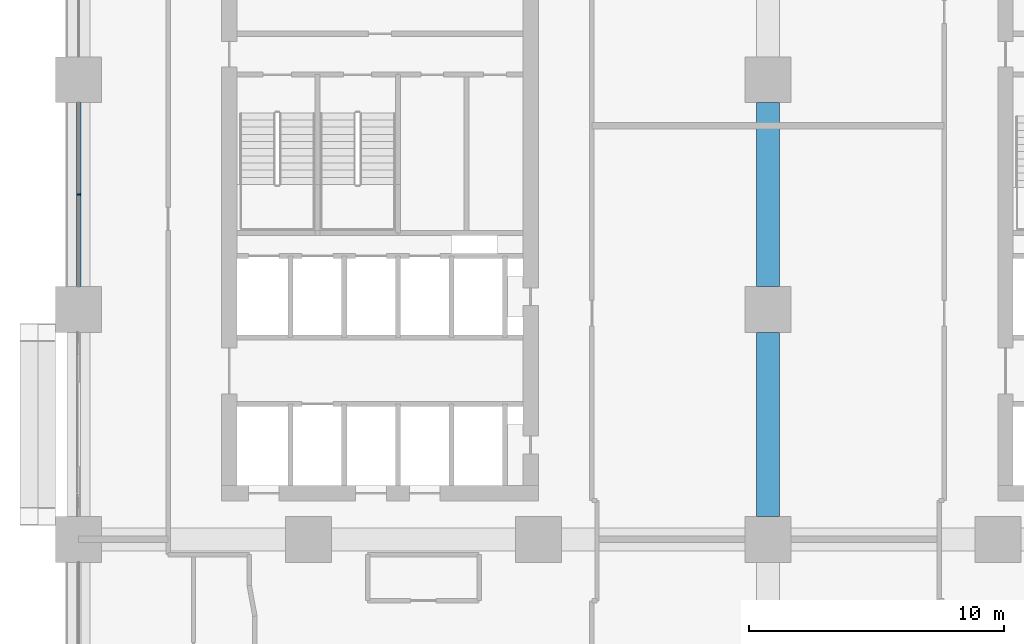
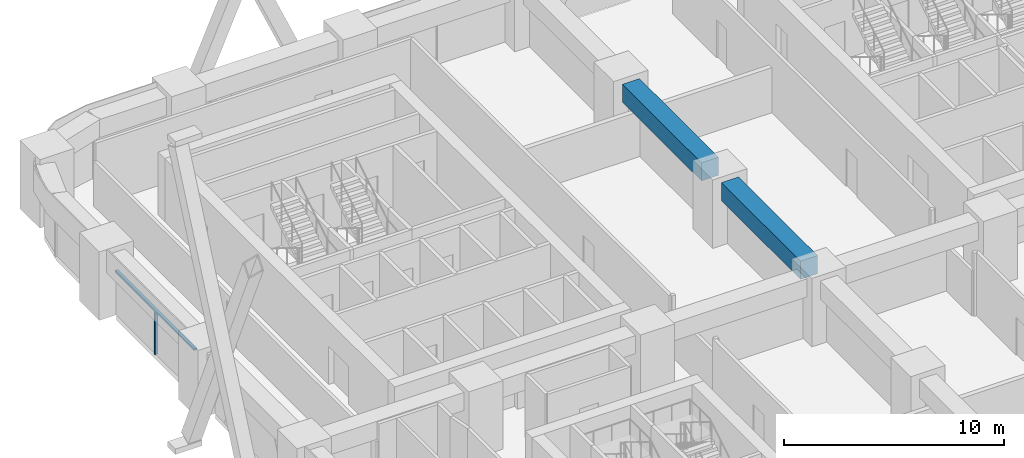
# One storey, part 7 of 24: 2 beams, 2 members, 1 element without a shape of its own.
"""IFC4 building model written with IfcOpenShell, lengths in metres."""

from ifc_helpers import new_model, si_unit, direction, frame, origin, origin_2d, place, context, subcontext, project, spatial, rectangle, extrude, material, material_profile, profile_set, type_object, element, aggregate, save


model = new_model("IFC4")

# Units and contexts
model_context = context("Model", 3, precision=1e-05, world=origin(), true_north=direction((0.0, 1.0)))
body_context = subcontext(model_context, "Body", "Model", "MODEL_VIEW")
ifc_project = project(units=[si_unit("LENGTHUNIT", "METRE"), si_unit("AREAUNIT", "SQUARE_METRE"), si_unit("VOLUMEUNIT", "CUBIC_METRE"), si_unit("PLANEANGLEUNIT", "RADIAN"), si_unit("MASSUNIT", "GRAM", prefix="KILO")], contexts=[model_context])

# Site, building, storey
site_placement = place(None, origin())
site = spatial("IfcSite", under=ifc_project, at=site_placement, CompositionType="ELEMENT")
building_placement = place(site_placement, origin())
building = spatial("IfcBuilding", under=site, at=building_placement, Name="Tessera Arch", CompositionType="ELEMENT")
storey_placement = place(building_placement, frame((0.0, 0.0, 61.39990234375)))
storey = spatial("IfcBuildingStorey", under=building, at=storey_placement, Name="L13", CompositionType="ELEMENT", Elevation=61.39990234375)

# Curtain wall, members
ifc_material_1 = material(Name="CW1 curtain wall")
curtain_wall_type = type_object("IfcCurtainWallType", Name="CW1 curtain wall", PredefinedType="NOTDEFINED", material=ifc_material_1)
curtain_wall_placement = place(storey_placement, origin())
curtain_wall = element("IfcCurtainWall", 1, at=curtain_wall_placement, inside=storey, type_object=curtain_wall_type, Name="CW1 curtain wall W0.0/1 L13", PredefinedType="NOTDEFINED")
ifc_material_2 = material(Name="Anodised aluminium pale metal", Category="aluminium")
ifc_material_profile_1 = material_profile(ifc_material_2, rectangle(XDim=0.159912109375, YDim=0.06005859375, at=origin_2d()), Name="AL 60x160")
ifc_profile_set_1 = profile_set([ifc_material_profile_1], Name="Anodised aluminium pale metal")
member_type_1 = type_object("IfcMemberType", Name="CW1 mullion", PredefinedType="MULLION", material=ifc_profile_set_1)
member_1_placement = place(storey_placement, frame((0.0, 40.5, 0.0), z_axis=(0.0, 0.0, 1.0), x_axis=(1.0, 0.0, 0.0)))
member_1 = element("IfcMember", 2, at=member_1_placement, type_object=member_type_1, Name="CW1 mullion W0.0/1 1", PredefinedType="MULLION", context=body_context, shape_type="SweptSolid", body=[
    extrude(rectangle(XDim=0.159912109375, YDim=0.06005859375, at=origin_2d()), origin(), (0.0, 0.0, 1.0), 2.400146484375),
])
ifc_material_3 = material(Name="Anodised aluminium pale metal", Category="aluminium")
ifc_material_profile_2 = material_profile(ifc_material_3, rectangle(XDim=0.159912109375, YDim=0.10009765625, at=origin_2d()), Name="AL 160x100")
ifc_profile_set_2 = profile_set([ifc_material_profile_2], Name="Anodised aluminium pale metal")
member_type_2 = type_object("IfcMemberType", Name="CW1 transom", PredefinedType="USERDEFINED", material=ifc_profile_set_2)
member_2_placement = place(storey_placement, frame((0.0, 44.10009765625, 2.4501953125), z_axis=(0.0, -1.0, 0.0), x_axis=(1.0, 0.0, 0.0)))
member_2 = element("IfcMember", 3, at=member_2_placement, type_object=member_type_2, Name="CW1 transom W0.0/1 1.1", ObjectType="TRANSOM", PredefinedType="USERDEFINED", context=body_context, shape_type="SweptSolid", body=[
    extrude(rectangle(XDim=0.159912109375, YDim=0.10009765625, at=origin_2d()), origin(), (0.0, 0.0, 1.0), 7.2001953125),
])
aggregate(curtain_wall, [member_1, member_2])

# Beams
ifc_material_4 = material(Name="Concrete C80/95", Category="concrete")
ifc_material_profile_3 = material_profile(ifc_material_4, rectangle(XDim=0.89990234375, YDim=1.0, at=origin_2d()), Name="RC spandrel beam 900 x 1000 Concrete C80/95")
ifc_profile_set_3 = profile_set([ifc_material_profile_3], Name="Concrete C80/95")
beam_type = type_object("IfcBeamType", Name="RC spandrel beam 900 x 1000 Concrete C80/95", PredefinedType="BEAM", material=ifc_profile_set_3)
for number, where, z_axis, x_axis, name in (
    (4, (27.0, 27.89990234375, 3.0), (0.0, 1.0, 0.0), (-1.0, 0.0, 0.0), "Interface beam L13 I0C4D-C4E"),
    (5, (27.0, 36.89990234375, 3.0), (0.0, 1.0, 0.0), (-1.0, 0.0, 0.0), "Interface beam L13 I0C4E-C4F"),
):
    element("IfcBeam", number, at=place(storey_placement, frame(where, z_axis=z_axis, x_axis=x_axis)), inside=storey, type_object=beam_type, Name=name, PredefinedType="BEAM", context=body_context, shape_type="SweptSolid", body=[
        extrude(rectangle(XDim=0.89990234375, YDim=1.0, at=origin_2d()), origin(), (0.0, 0.0, 1.0), 7.2001953125),
    ])

save(model, "model.ifc")
